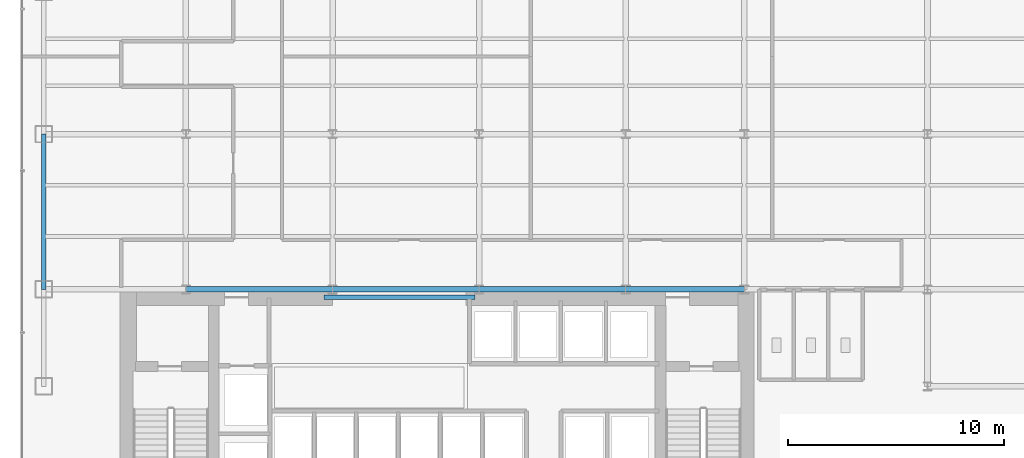
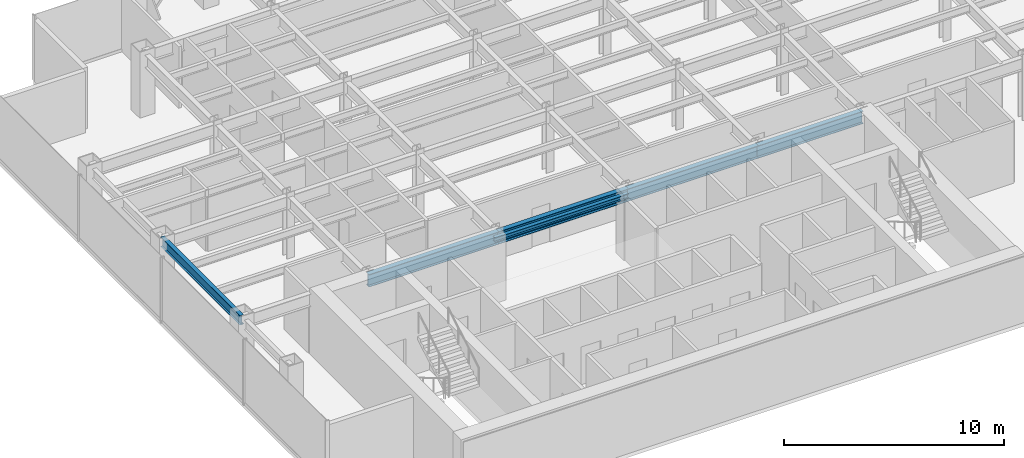
# One storey, part 3 of 26: 6 beams.
"""IFC4 building model written with IfcOpenShell, lengths in metres."""

from ifc_helpers import new_model, si_unit, derived_unit, direction, frame, origin, origin_2d, place, context, subcontext, project, spatial, i_section, extrude, source, transform, mapped, material, material_profile, profile_set, type_object, element, save


model = new_model("IFC4")

# Units and contexts
model_context = context("Model", 3, precision=1e-05, world=origin(), true_north=direction((0.0, 1.0)))
body_context = subcontext(model_context, "Body", "Model", "MODEL_VIEW")
ifc_project = project(units=[si_unit("LENGTHUNIT", "METRE"), si_unit("AREAUNIT", "SQUARE_METRE"), si_unit("VOLUMEUNIT", "CUBIC_METRE"), si_unit("PLANEANGLEUNIT", "RADIAN"), si_unit("MASSUNIT", "GRAM", prefix="KILO"), derived_unit("THERMALTRANSMITTANCEUNIT", [(si_unit("POWERUNIT", "WATT"), 1), (si_unit("LENGTHUNIT", "METRE"), -2), (si_unit("THERMODYNAMICTEMPERATUREUNIT", "KELVIN"), -1)])], contexts=[model_context])

# Site, building, storey
site_placement = place(None, origin())
site = spatial("IfcSite", under=ifc_project, at=site_placement, CompositionType="ELEMENT")
building_placement = place(site_placement, origin())
building = spatial("IfcBuilding", under=site, at=building_placement, Name="Skarnbrae Concourse Arena and Tower", CompositionType="ELEMENT")
storey_placement = place(building_placement, frame((0.0, 0.0, 125.14990234375)))
storey = spatial("IfcBuildingStorey", under=building, at=storey_placement, Name="L31", CompositionType="ELEMENT", Elevation=125.14990234375)

# Beams
ifc_material = material(Name="Steel CSA G40.21 350W", Category="steel")
ifc_material_profile_1 = material_profile(ifc_material, i_section(OverallWidth=0.202880859375, OverallDepth=0.251953125, WebThickness=0.008056640625, FlangeThickness=0.013427734375, at=origin_2d()), Name="W250X58")
ifc_profile_set_1 = profile_set([ifc_material_profile_1], Name="Steel CSA G40.21 350W")
beam_type_1 = type_object("IfcBeamType", Name="BM-LINTEL-W250X58", PredefinedType="LINTEL", material=ifc_profile_set_1)
shared_shape_1 = source(origin(), body_context, "Body", "SweptSolid", [
    extrude(i_section(OverallWidth=0.202880859375, OverallDepth=0.251953125, WebThickness=0.008056640625, FlangeThickness=0.013427734375, at=origin_2d()), origin(), (0.0, 0.0, 1.0), 7.0),
])
beam_1_placement = place(storey_placement, frame((14.0, 13.625, 3.274169921875), z_axis=(1.0, 0.0, 0.0), x_axis=(0.0, 1.0, 0.0)))
element("IfcBeam", 1, at=beam_1_placement, inside=storey, type_object=beam_type_1, Name="L31 Core portal coupling lintel", PredefinedType="LINTEL", context=body_context, shape_type="MappedRepresentation", body=[
    mapped(shared_shape_1, transform((0.0, 0.0, 0.0))),
])
ifc_material_profile_2 = material_profile(ifc_material, i_section(OverallWidth=0.256103515625, OverallDepth=0.693115234375, WebThickness=0.014404296875, FlangeThickness=0.023681640625, at=origin_2d()), Name="W690X170")
ifc_profile_set_2 = profile_set([ifc_material_profile_2], Name="Steel CSA G40.21 350W")
beam_type_2 = type_object("IfcBeamType", Name="BM-GIRD-W690X170", PredefinedType="BEAM", material=ifc_profile_set_2)
shared_shape_2 = source(origin(), body_context, "Body", "SweptSolid", [
    extrude(i_section(OverallWidth=0.256103515625, OverallDepth=0.693115234375, WebThickness=0.014404296875, FlangeThickness=0.023681640625, at=origin_2d()), origin(), (0.0, 0.0, 1.0), 6.7998046875),
])
beam_2_placement = place(storey_placement, frame((7.60009765625, 14.0, 3.0537109375), z_axis=(1.0, 0.0, 0.0), x_axis=(0.0, 1.0, 0.0)))
element("IfcBeam", 2, at=beam_2_placement, inside=storey, type_object=beam_type_2, Name="L31 Primary E-W girder Y14.0-2", PredefinedType="BEAM", context=body_context, shape_type="MappedRepresentation", body=[
    mapped(shared_shape_2, transform((0.0, 0.0, 0.0))),
])
shared_shape_3 = source(origin(), body_context, "Body", "SweptSolid", [
    extrude(i_section(OverallWidth=0.256103515625, OverallDepth=0.693115234375, WebThickness=0.014404296875, FlangeThickness=0.023681640625, at=origin_2d()), origin(), (0.0, 0.0, 1.0), 6.800048828125),
])
for number, where, z_axis, x_axis, name in (
    (3, (14.39990234375, 14.0, 3.0537109375), (1.0, 0.0, 0.0), (0.0, 1.0, 0.0), "L31 Primary E-W girder Y14.0-3"),
    (4, (21.199951171875, 14.0, 3.0537109375), (1.0, 0.0, 0.0), (0.0, 1.0, 0.0), "L31 Primary E-W girder Y14.0-4"),
):
    element("IfcBeam", number, at=place(storey_placement, frame(where, z_axis=z_axis, x_axis=x_axis)), inside=storey, type_object=beam_type_2, Name=name, PredefinedType="BEAM", context=body_context, shape_type="MappedRepresentation", body=[
        mapped(shared_shape_3, transform((0.0, 0.0, 0.0))),
    ])
shared_shape_4 = source(origin(), body_context, "Body", "SweptSolid", [
    extrude(i_section(OverallWidth=0.256103515625, OverallDepth=0.693115234375, WebThickness=0.014404296875, FlangeThickness=0.023681640625, at=origin_2d()), origin(), (0.0, 0.0, 1.0), 5.5),
])
beam_3_placement = place(storey_placement, frame((28.0, 14.0, 3.0537109375), z_axis=(1.0, 0.0, 0.0), x_axis=(0.0, 1.0, 0.0)))
element("IfcBeam", 5, at=beam_3_placement, inside=storey, type_object=beam_type_2, Name="L31 Primary E-W girder Y14.0-5", PredefinedType="BEAM", context=body_context, shape_type="MappedRepresentation", body=[
    mapped(shared_shape_4, transform((0.0, 0.0, 0.0))),
])
ifc_material_profile_3 = material_profile(ifc_material, i_section(OverallWidth=0.208984375, OverallDepth=0.532958984375, WebThickness=0.01025390625, FlangeThickness=0.015625, at=origin_2d()), Name="W530X92")
ifc_profile_set_3 = profile_set([ifc_material_profile_3], Name="Steel CSA G40.21 350W")
beam_type_3 = type_object("IfcBeamType", Name="BM-SPAN-W530X92", PredefinedType="SPANDREL", material=ifc_profile_set_3)
shared_shape_5 = source(origin(), body_context, "Body", "SweptSolid", [
    extrude(i_section(OverallWidth=0.208984375, OverallDepth=0.532958984375, WebThickness=0.01025390625, FlangeThickness=0.015625, at=origin_2d()), origin(), (0.0, 0.0, 1.0), 7.199951171875),
])
beam_4_placement = place(storey_placement, frame((1.0, 14.0, 3.133544921875), z_axis=(0.0, 1.0, 0.0), x_axis=(-1.0, 0.0, 0.0)))
element("IfcBeam", 6, at=beam_4_placement, inside=storey, type_object=beam_type_3, Name="L31 Perimeter spandrel X1.0-2", PredefinedType="SPANDREL", context=body_context, shape_type="MappedRepresentation", body=[
    mapped(shared_shape_5, transform((0.0, 0.0, 0.0))),
])

save(model, "model.ifc")
